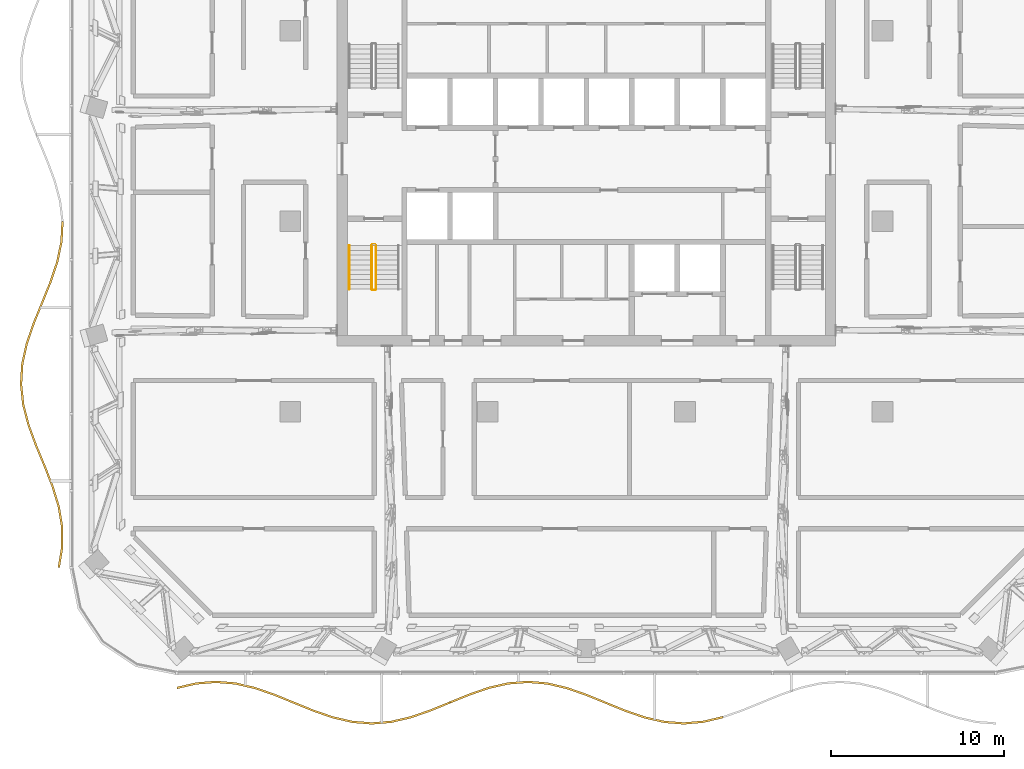
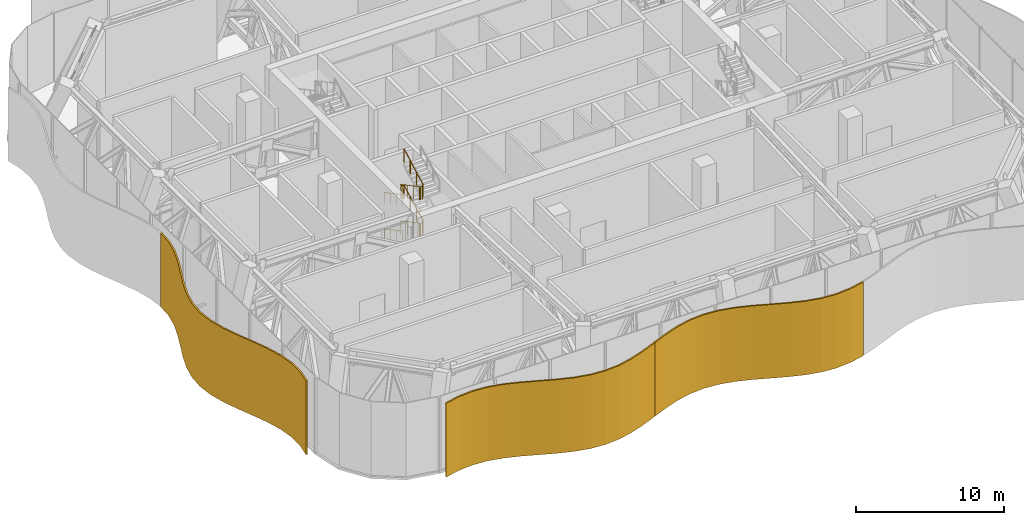
# One storey, part 23 of 29: 6 railings, 3 shading devices.
"""IFC4 building model written with IfcOpenShell, lengths in metres."""

from ifc_helpers import new_model, si_unit, direction, frame, origin, origin_2d, place, context, subcontext, project, spatial, polyline, circle, outline, extrude, material, layer, layer_set, type_object, element, save


model = new_model("IFC4")

# Units and contexts
model_context = context("Model", 3, precision=1e-05, world=origin(), true_north=direction((0.0, 1.0)))
body_context = subcontext(model_context, "Body", "Model", "MODEL_VIEW")
ifc_project = project(units=[si_unit("LENGTHUNIT", "METRE"), si_unit("AREAUNIT", "SQUARE_METRE"), si_unit("VOLUMEUNIT", "CUBIC_METRE"), si_unit("PLANEANGLEUNIT", "RADIAN"), si_unit("MASSUNIT", "GRAM", prefix="KILO")], contexts=[model_context])

# Site, building, storey
site_placement = place(None, origin())
site = spatial("IfcSite", under=ifc_project, at=site_placement, CompositionType="ELEMENT")
building_placement = place(site_placement, origin())
building = spatial("IfcBuilding", under=site, at=building_placement, Name="Mopane Tessera Tower", CompositionType="ELEMENT")
storey_placement = place(building_placement, frame((0.0, 0.0, 315.39990234375)))
storey = spatial("IfcBuildingStorey", under=building, at=storey_placement, Name="L69", CompositionType="ELEMENT", Elevation=315.39990234375)

# Railings
ifc_material_1 = material(Name="Powder-coated steel balustrade", Category="steel")
railing_type_1 = type_object("IfcRailingType", Name="Escape stair guard 1100 mm", PredefinedType="GUARDRAIL", material=ifc_material_1)
railing_1_placement = place(storey_placement, frame((-12.39990234375, -1.39990234375, 0.150146484375)))
element("IfcRailing", 1, at=railing_1_placement, inside=storey, type_object=railing_type_1, Name="L69 ST1 stair guard 1", PredefinedType="GUARDRAIL", context=body_context, shape_type="SweptSolid", body=[
    extrude(circle(Radius=0.02392578125, at=origin_2d()), frame((0.0, 0.0, 1.076171875), z_axis=(0.0, -0.88150282143, 0.472178754087), x_axis=(1.0, 0.0, 0.0)), (0.0, 0.0, 1.0), 2.85888671875),
    extrude(circle(Radius=0.02392578125, at=origin_2d()), frame((0.0, -2.52001953125, 2.42578125), z_axis=(0.705375805398, -0.708833529934, 0.0), x_axis=(0.708833529934, 0.705375805398, 0.0)), (0.0, 0.0, 1.0), 0.070556640625),
    extrude(circle(Radius=0.02392578125, at=origin_2d()), frame((0.0498046875, -2.570068359375, 2.42578125), z_axis=(1.0, 0.0, 0.0), x_axis=(0.0, 1.0, 0.0)), (0.0, 0.0, 1.0), 0.150146484375),
    extrude(circle(Radius=0.02099609375, at=origin_2d()), origin(), (0.0, 0.0, 1.0), 1.052001953125),
    extrude(circle(Radius=0.02099609375, at=origin_2d()), frame((0.0, -0.840087890625, 0.449951171875)), (0.0, 0.0, 1.0), 1.052001953125),
    extrude(circle(Radius=0.02099609375, at=origin_2d()), frame((0.0, -1.679931640625, 0.89990234375)), (0.0, 0.0, 1.0), 1.052001953125),
    extrude(circle(Radius=0.02099609375, at=origin_2d()), frame((0.0, -2.52001953125, 1.349853515625)), (0.0, 0.0, 1.0), 1.052001953125),
    extrude(circle(Radius=0.02099609375, at=origin_2d()), frame((0.0498046875, -2.570068359375, 1.349853515625)), (0.0, 0.0, 1.0), 1.052001953125),
    extrude(circle(Radius=0.02099609375, at=origin_2d()), frame((0.199951171875, -2.570068359375, 1.349853515625)), (0.0, 0.0, 1.0), 1.052001953125),
])
railing_2_placement = place(storey_placement, frame((-12.14990234375, -3.919921875, 1.650146484375)))
element("IfcRailing", 2, at=railing_2_placement, inside=storey, type_object=railing_type_1, Name="L69 ST1 stair guard 2", PredefinedType="GUARDRAIL", context=body_context, shape_type="SweptSolid", body=[
    extrude(circle(Radius=0.02392578125, at=origin_2d()), frame((0.0, 0.0, 1.076171875), z_axis=(0.0, 0.88150282143, 0.472178754087), x_axis=(-1.0, 0.0, 0.0)), (0.0, 0.0, 1.0), 2.85888671875),
    extrude(circle(Radius=0.02392578125, at=origin_2d()), frame((0.0, 2.52001953125, 2.42578125), z_axis=(-0.708833529934, 0.705375805398, 0.0), x_axis=(-0.705375805398, -0.708833529934, 0.0)), (0.0, 0.0, 1.0), 0.070556640625),
    extrude(circle(Radius=0.02392578125, at=origin_2d()), frame((-0.050048828125, 2.56982421875, 2.42578125), z_axis=(-1.0, 0.0, 0.0), x_axis=(0.0, -1.0, 0.0)), (0.0, 0.0, 1.0), 0.150146484375),
    extrude(circle(Radius=0.02099609375, at=origin_2d()), origin(), (0.0, 0.0, 1.0), 1.052001953125),
    extrude(circle(Radius=0.02099609375, at=origin_2d()), frame((0.0, 0.840087890625, 0.449951171875)), (0.0, 0.0, 1.0), 1.052001953125),
    extrude(circle(Radius=0.02099609375, at=origin_2d()), frame((0.0, 1.679931640625, 0.89990234375)), (0.0, 0.0, 1.0), 1.052001953125),
    extrude(circle(Radius=0.02099609375, at=origin_2d()), frame((0.0, 2.52001953125, 1.349853515625)), (0.0, 0.0, 1.0), 1.052001953125),
    extrude(circle(Radius=0.02099609375, at=origin_2d()), frame((-0.050048828125, 2.56982421875, 1.349853515625)), (0.0, 0.0, 1.0), 1.052001953125),
    extrude(circle(Radius=0.02099609375, at=origin_2d()), frame((-0.2001953125, 2.56982421875, 1.349853515625)), (0.0, 0.0, 1.0), 1.052001953125),
])
railing_3_placement = place(storey_placement, frame((-12.39990234375, -1.39990234375, 3.150146484375)))
element("IfcRailing", 3, at=railing_3_placement, inside=storey, type_object=railing_type_1, Name="L69 ST1 stair guard 3", PredefinedType="GUARDRAIL", context=body_context, shape_type="SweptSolid", body=[
    extrude(circle(Radius=0.02392578125, at=origin_2d()), frame((0.0, 0.0, 1.076171875), z_axis=(0.0, -0.88150282143, 0.472178754087), x_axis=(1.0, 0.0, 0.0)), (0.0, 0.0, 1.0), 2.85888671875),
    extrude(circle(Radius=0.02392578125, at=origin_2d()), frame((0.0, -2.52001953125, 2.42578125), z_axis=(0.705375805398, -0.708833529934, 0.0), x_axis=(0.708833529934, 0.705375805398, 0.0)), (0.0, 0.0, 1.0), 0.070556640625),
    extrude(circle(Radius=0.02392578125, at=origin_2d()), frame((0.0498046875, -2.570068359375, 2.42578125), z_axis=(1.0, 0.0, 0.0), x_axis=(0.0, 1.0, 0.0)), (0.0, 0.0, 1.0), 0.150146484375),
    extrude(circle(Radius=0.02099609375, at=origin_2d()), origin(), (0.0, 0.0, 1.0), 1.052001953125),
    extrude(circle(Radius=0.02099609375, at=origin_2d()), frame((0.0, -0.840087890625, 0.449951171875)), (0.0, 0.0, 1.0), 1.052001953125),
    extrude(circle(Radius=0.02099609375, at=origin_2d()), frame((0.0, -1.679931640625, 0.89990234375)), (0.0, 0.0, 1.0), 1.052001953125),
    extrude(circle(Radius=0.02099609375, at=origin_2d()), frame((0.0, -2.52001953125, 1.349853515625)), (0.0, 0.0, 1.0), 1.052001953125),
    extrude(circle(Radius=0.02099609375, at=origin_2d()), frame((0.0498046875, -2.570068359375, 1.349853515625)), (0.0, 0.0, 1.0), 1.052001953125),
    extrude(circle(Radius=0.02099609375, at=origin_2d()), frame((0.199951171875, -2.570068359375, 1.349853515625)), (0.0, 0.0, 1.0), 1.052001953125),
])
railing_4_placement = place(storey_placement, frame((-12.14990234375, -3.919921875, 4.650146484375)))
element("IfcRailing", 4, at=railing_4_placement, inside=storey, type_object=railing_type_1, Name="L69 ST1 stair guard 4", PredefinedType="GUARDRAIL", context=body_context, shape_type="SweptSolid", body=[
    extrude(circle(Radius=0.02392578125, at=origin_2d()), frame((0.0, 0.0, 1.076171875), z_axis=(0.0, 0.88150282143, 0.472178754087), x_axis=(-1.0, 0.0, 0.0)), (0.0, 0.0, 1.0), 2.85888671875),
    extrude(circle(Radius=0.02099609375, at=origin_2d()), origin(), (0.0, 0.0, 1.0), 1.052001953125),
    extrude(circle(Radius=0.02099609375, at=origin_2d()), frame((0.0, 0.840087890625, 0.449951171875)), (0.0, 0.0, 1.0), 1.052001953125),
    extrude(circle(Radius=0.02099609375, at=origin_2d()), frame((0.0, 1.679931640625, 0.89990234375)), (0.0, 0.0, 1.0), 1.052001953125),
    extrude(circle(Radius=0.02099609375, at=origin_2d()), frame((0.0, 2.52001953125, 1.349853515625)), (0.0, 0.0, 1.0), 1.052001953125),
])
ifc_material_2 = material(Name="Powder-coated steel balustrade", Category="steel")
railing_type_2 = type_object("IfcRailingType", Name="Escape stair handrail 900 mm", PredefinedType="HANDRAIL", material=ifc_material_2)
for number, where, name in (
    (5, (-13.699951171875, -1.39990234375, 0.150146484375), "L69 ST1 stair handrail 1"),
    (6, (-13.699951171875, -1.39990234375, 3.150146484375), "L69 ST1 stair handrail 3"),
):
    element("IfcRailing", number, at=place(storey_placement, frame(where)), inside=storey, type_object=railing_type_2, Name=name, PredefinedType="HANDRAIL", context=body_context, shape_type="SweptSolid", body=[
        extrude(circle(Radius=0.02392578125, at=origin_2d()), frame((0.0, 0.0, 0.8759765625), z_axis=(0.0, -0.88150282143, 0.472178754087), x_axis=(1.0, 0.0, 0.0)), (0.0, 0.0, 1.0), 2.85888671875),
        extrude(circle(Radius=0.02099609375, at=origin_2d()), origin(), (0.0, 0.0, 1.0), 0.851806640625),
        extrude(circle(Radius=0.02099609375, at=origin_2d()), frame((0.0, -0.840087890625, 0.449951171875)), (0.0, 0.0, 1.0), 0.851806640625),
        extrude(circle(Radius=0.02099609375, at=origin_2d()), frame((0.0, -1.679931640625, 0.89990234375)), (0.0, 0.0, 1.0), 0.851806640625),
        extrude(circle(Radius=0.02099609375, at=origin_2d()), frame((0.0, -2.52001953125, 1.349853515625)), (0.0, 0.0, 1.0), 0.851806640625),
    ])

# Shading devices
ifc_material_3 = material(Name="Anodised aluminium louvre blades", Category="aluminium")
ifc_layer = layer(ifc_material_3, 0.1201171875)
ifc_layer_set = layer_set([ifc_layer], Name="Anodised aluminium louvre blades")
shading_device_type = type_object("IfcShadingDeviceType", Name="Wave louvre screen", PredefinedType="JALOUSIE", material=ifc_layer_set)
shading_device_1_placement = place(storey_placement, frame((0.0, 0.0, -0.419921875)))
element("IfcShadingDevice", 7, at=shading_device_1_placement, inside=storey, type_object=shading_device_type, Name="e:lv:L69:S:0", PredefinedType="JALOUSIE", context=body_context, shape_type="SweptSolid", body=[
    extrude(outline(polyline([(-23.64990234375, -26.891357421875), (-22.52392578125, -26.631103515625), (-21.397705078125, -26.5400390625), (-20.271484375, -26.6318359375), (-19.145263671875, -26.892822265625), (-18.01904296875, -27.283203125), (-16.892822265625, -27.742919921875), (-15.7666015625, -28.202392578125), (-14.640380859375, -28.59130859375), (-13.514404296875, -28.850341796875), (-12.38818359375, -28.93994140625), (-11.261962890625, -28.846435546875), (-10.1357421875, -28.584228515625), (-9.009521484375, -28.193115234375), (-7.88330078125, -27.73291015625), (-7.88330078125, -27.85302734375), (-9.009521484375, -28.313232421875), (-10.1357421875, -28.704345703125), (-11.261962890625, -28.966552734375), (-12.38818359375, -29.06005859375), (-13.514404296875, -28.970458984375), (-14.640380859375, -28.71142578125), (-15.7666015625, -28.322509765625), (-16.892822265625, -27.863037109375), (-18.01904296875, -27.403076171875), (-19.145263671875, -27.012939453125), (-20.271484375, -26.751953125), (-21.397705078125, -26.659912109375), (-22.52392578125, -26.751220703125), (-23.64990234375, -27.011474609375), (-23.64990234375, -26.891357421875)])), origin(), (0.0, 0.0, 1.0), 6.070068359375),
])
shading_device_2_placement = place(storey_placement, frame((0.0, 0.0, -0.419921875)))
element("IfcShadingDevice", 8, at=shading_device_2_placement, inside=storey, type_object=shading_device_type, Name="e:lv:L69:S:1", PredefinedType="JALOUSIE", context=body_context, shape_type="SweptSolid", body=[
    extrude(outline(polyline([(-7.88330078125, -27.73291015625), (-6.757080078125, -27.27392578125), (-5.630859375, -26.8857421875), (-4.5048828125, -26.628173828125), (-3.378662109375, -26.5400390625), (-2.25244140625, -26.635009765625), (-1.126220703125, -26.8984375), (0.0, -27.29052734375), (1.126220703125, -27.7509765625), (2.25244140625, -28.209716796875), (3.378662109375, -28.596923828125), (4.5048828125, -28.853271484375), (5.630859375, -28.93994140625), (6.757080078125, -28.843505859375), (7.88330078125, -28.57861328125), (7.88330078125, -28.698486328125), (6.757080078125, -28.96337890625), (5.630859375, -29.059814453125), (4.5048828125, -28.973388671875), (3.378662109375, -28.717041015625), (2.25244140625, -28.329833984375), (1.126220703125, -27.870849609375), (0.0, -27.410400390625), (-1.126220703125, -27.0185546875), (-2.25244140625, -26.755126953125), (-3.378662109375, -26.659912109375), (-4.5048828125, -26.748046875), (-5.630859375, -27.005859375), (-6.757080078125, -27.393798828125), (-7.88330078125, -27.85302734375), (-7.88330078125, -27.73291015625)])), origin(), (0.0, 0.0, 1.0), 6.070068359375),
])
shading_device_3_placement = place(storey_placement, frame((0.0, 0.0, -0.419921875)))
element("IfcShadingDevice", 9, at=shading_device_3_placement, inside=storey, type_object=shading_device_type, Name="e:lv:L69:W:1", PredefinedType="JALOUSIE", context=body_context, shape_type="SweptSolid", body=[
    extrude(outline(polyline([(-30.194580078125, 0.0), (-30.252197265625, -1.176513671875), (-30.4990234375, -2.35302734375), (-30.89404296875, -3.529296875), (-31.37158203125, -4.705810546875), (-31.85205078125, -5.88232421875), (-32.255859375, -7.058837890625), (-32.515625, -8.2353515625), (-32.588134765625, -9.411865234375), (-32.46142578125, -10.588134765625), (-32.156494140625, -11.7646484375), (-31.724365234375, -12.941162109375), (-31.236328125, -14.11767578125), (-30.774169921875, -15.294189453125), (-30.4140625, -16.470703125), (-30.216552734375, -17.64697265625), (-30.2138671875, -18.823486328125), (-30.406982421875, -20.0), (-30.527099609375, -20.0), (-30.333984375, -18.823486328125), (-30.33642578125, -17.64697265625), (-30.5341796875, -16.470703125), (-30.89404296875, -15.294189453125), (-31.3564453125, -14.11767578125), (-31.84423828125, -12.941162109375), (-32.276611328125, -11.7646484375), (-32.58154296875, -10.588134765625), (-32.7080078125, -9.411865234375), (-32.635498046875, -8.2353515625), (-32.375732421875, -7.058837890625), (-31.97216796875, -5.88232421875), (-31.491455078125, -4.705810546875), (-31.01416015625, -3.529296875), (-30.619140625, -2.35302734375), (-30.372314453125, -1.176513671875), (-30.314453125, 0.0), (-30.194580078125, 0.0)])), origin(), (0.0, 0.0, 1.0), 6.070068359375),
])

save(model, "model.ifc")
